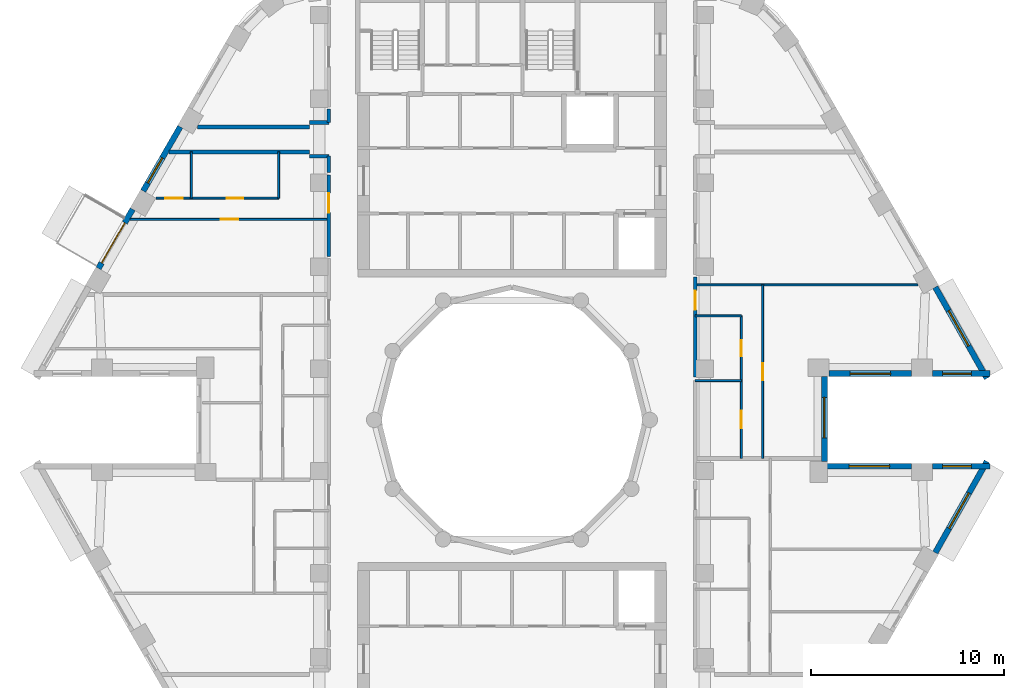
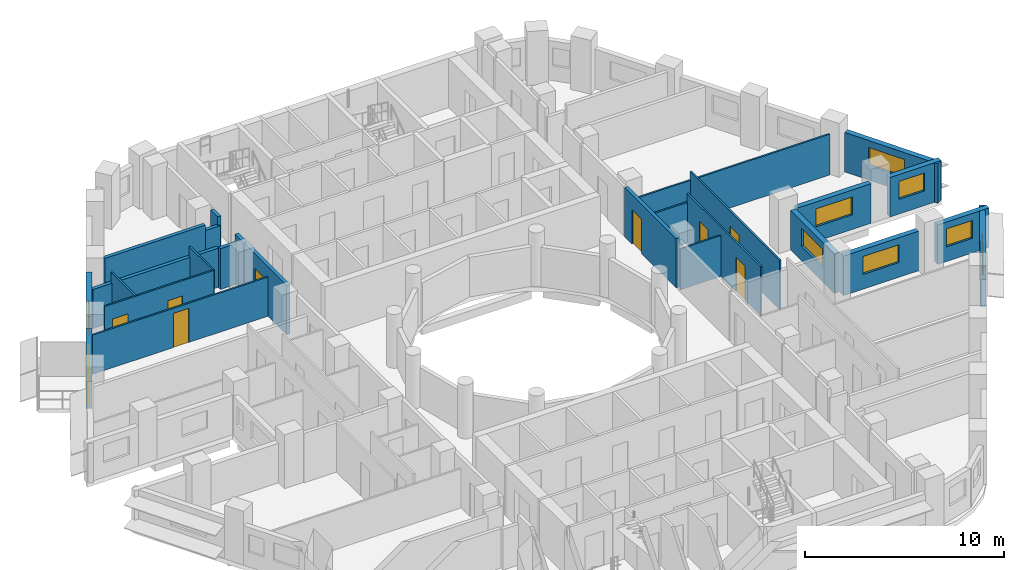
# One storey, part 6 of 13: 26 walls, 9 doors, 8 windows, 17 openings.
"""IFC4 building model written with IfcOpenShell, lengths in metres."""

from ifc_helpers import new_model, si_unit, direction, frame, frame_2d, origin, place, context, subcontext, project, spatial, rectangle, extrude, material, layer, layer_set, type_object, element, fill, save


model = new_model("IFC4")

# Units and contexts
model_context = context("Model", 3, precision=1e-05, world=origin(), true_north=direction((0.0, 1.0)))
body_context = subcontext(model_context, "Body", "Model", "MODEL_VIEW")
ifc_project = project(units=[si_unit("LENGTHUNIT", "METRE"), si_unit("AREAUNIT", "SQUARE_METRE"), si_unit("VOLUMEUNIT", "CUBIC_METRE"), si_unit("PLANEANGLEUNIT", "RADIAN"), si_unit("MASSUNIT", "GRAM", prefix="KILO")], contexts=[model_context])

# Site, building, storey
site_placement = place(None, origin())
site = spatial("IfcSite", under=ifc_project, at=site_placement, CompositionType="ELEMENT")
building_placement = place(site_placement, origin())
building = spatial("IfcBuilding", under=site, at=building_placement, Name="Nakaniwa Court", CompositionType="ELEMENT")
storey_placement = place(building_placement, frame((0.0, 0.0, 246.0)))
storey = spatial("IfcBuildingStorey", under=building, at=storey_placement, Name="L64", CompositionType="ELEMENT", Elevation=246.0)

# Wall, opening, door
ifc_material_1 = material(Name="Acoustic double stud partition")
ifc_layer_1 = layer(ifc_material_1, 0.199951171875)
ifc_layer_set_1 = layer_set([ifc_layer_1], Name="Acoustic double stud partition")
wall_type_1 = type_object("IfcWallType", Name="Acoustic double stud partition 200", PredefinedType="PARTITIONING", material=ifc_layer_set_1)
wall_1_placement = place(storey_placement, frame((89.5, 87.423095703125, 0.0), z_axis=(0.0, 0.0, 1.0), x_axis=(0.0, -1.0, 0.0)))
wall_1 = element("IfcWall", 1, at=wall_1_placement, inside=storey, type_object=wall_type_1, Name="Partition PW-067", PredefinedType="PARTITIONING", context=body_context, shape_type="SweptSolid", body=[
    extrude(rectangle(XDim=5.18603515625, YDim=0.199951171875, at=frame_2d((2.593017578125, 0.0))), origin(), (0.0, 0.0, 1.0), 3.02490234375),
])
opening_1_placement = place(wall_1_placement, frame((0.722900390625, 0.0, 0.0)))
opening_1 = element("IfcOpeningElement", 2, at=opening_1_placement, cuts=wall_1, Name="Opening D-01-02", PredefinedType="OPENING", context=body_context, shape_type="SweptSolid", body=[
    extrude(rectangle(XDim=1.0, YDim=2.10009765625, at=frame_2d((0.5, 1.050048828125))), frame((0.0, 0.10986328125, 0.0), z_axis=(0.0, -1.0, 0.0), x_axis=(1.0, 0.0, 0.0)), (0.0, 0.0, 1.0), 0.219970703125),
])
ifc_material_2 = material(Name="Solid core timber door set, black veneer", Category="wood")
door_type_1 = type_object("IfcDoorType", Name="Flat entrance door 1000", OperationType="NOTDEFINED", PredefinedType="DOOR", material=ifc_material_2)
door_1_placement = place(opening_1_placement, origin())
door_1 = element("IfcDoor", 3, at=door_1_placement, inside=storey, type_object=door_type_1, Name="Door D-01-02 L64-040", OperationType="SINGLE_SWING_LEFT", OverallHeight=2.10009765625, OverallWidth=1.0, PredefinedType="DOOR", context=body_context, shape_type="SweptSolid", body=[
    extrude(rectangle(XDim=1.0, YDim=2.10009765625, at=frame_2d((0.5, 1.050048828125))), frame((0.0, 0.02490234375, 0.0), z_axis=(0.0, -1.0, 0.0), x_axis=(1.0, 0.0, 0.0)), (0.0, 0.0, 1.0), 0.050048828125),
])
fill(opening_1, door_1)

# Walls
wall_2_placement = place(storey_placement, frame((62.217529296875, 93.89990234375, 0.0), z_axis=(0.0, 0.0, 1.0), x_axis=(1.0, 0.0, 0.0)))
element("IfcWall", 4, at=wall_2_placement, inside=storey, type_object=wall_type_1, Name="Partition PW-073", PredefinedType="PARTITIONING", context=body_context, shape_type="SweptSolid", body=[
    extrude(rectangle(XDim=7.282470703125, YDim=0.199951171875, at=frame_2d((3.64111328125, 0.0))), origin(), (0.0, 0.0, 1.0), 2.405029296875),
])
for number, where, z_axis, x_axis, name in (
    (5, (69.5, 93.675048828125, 0.0), (0.0, 0.0, 1.0), (1.0, 0.0, 0.0), "Partition PW-075"),
    (6, (69.5, 95.425048828125, 0.0), (0.0, 0.0, 1.0), (1.0, 0.0, 0.0), "Partition PW-077"),
):
    element("IfcWall", number, at=place(storey_placement, frame(where, z_axis=z_axis, x_axis=x_axis)), inside=storey, type_object=wall_type_1, Name=name, PredefinedType="PARTITIONING", context=body_context, shape_type="SweptSolid", body=[
        extrude(rectangle(XDim=1.0, YDim=0.199951171875, at=frame_2d((0.5, 0.0))), origin(), (0.0, 0.0, 1.0), 2.5048828125),
    ])
wall_3_placement = place(storey_placement, frame((63.68115234375, 95.199951171875, 0.0), z_axis=(0.0, 0.0, 1.0), x_axis=(1.0, 0.0, 0.0)))
element("IfcWall", 7, at=wall_3_placement, inside=storey, type_object=wall_type_1, Name="Partition PW-079", PredefinedType="PARTITIONING", context=body_context, shape_type="SweptSolid", body=[
    extrude(rectangle(XDim=5.81884765625, YDim=0.199951171875, at=frame_2d((2.909423828125, 0.0))), origin(), (0.0, 0.0, 1.0), 3.02490234375),
])

# Wall, opening, door
wall_4_placement = place(storey_placement, frame((70.5, 88.47705078125, 0.0), z_axis=(0.0, 0.0, 1.0), x_axis=(0.0, 1.0, 0.0)))
wall_4 = element("IfcWall", 8, at=wall_4_placement, inside=storey, type_object=wall_type_1, Name="Partition PW-096", PredefinedType="PARTITIONING", context=body_context, shape_type="SweptSolid", body=[
    extrude(rectangle(XDim=4.23583984375, YDim=0.199951171875, at=frame_2d((2.117919921875, 0.0))), origin(), (0.0, 0.0, 1.0), 3.02490234375),
])
opening_2_placement = place(wall_4_placement, frame((2.278076171875, 0.0, 0.0)))
opening_2 = element("IfcOpeningElement", 9, at=opening_2_placement, cuts=wall_4, Name="Opening D-01-05", PredefinedType="OPENING", context=body_context, shape_type="SweptSolid", body=[
    extrude(rectangle(XDim=1.0, YDim=2.10009765625, at=frame_2d((0.5, 1.050048828125))), frame((0.0, 0.10986328125, 0.0), z_axis=(0.0, -1.0, 0.0), x_axis=(1.0, 0.0, 0.0)), (0.0, 0.0, 1.0), 0.219970703125),
])
door_2_placement = place(opening_2_placement, origin())
door_2 = element("IfcDoor", 10, at=door_2_placement, inside=storey, type_object=door_type_1, Name="Door D-01-05 L64-055", OperationType="SINGLE_SWING_RIGHT", OverallHeight=2.10009765625, OverallWidth=1.0, PredefinedType="DOOR", context=body_context, shape_type="SweptSolid", body=[
    extrude(rectangle(XDim=1.0, YDim=2.10009765625, at=frame_2d((0.5, 1.050048828125))), frame((0.0, 0.02490234375, 0.0), z_axis=(0.0, -1.0, 0.0), x_axis=(1.0, 0.0, 0.0)), (0.0, 0.0, 1.0), 0.050048828125),
])
fill(opening_2, door_2)

# Walls
wall_5_placement = place(storey_placement, frame((70.5, 92.826904296875, 0.0), z_axis=(0.0, 0.0, 1.0), x_axis=(0.0, 1.0, 0.0)))
element("IfcWall", 11, at=wall_5_placement, inside=storey, type_object=wall_type_1, Name="Partition PW-097", PredefinedType="PARTITIONING", context=body_context, shape_type="SweptSolid", body=[
    extrude(rectangle(XDim=0.85107421875, YDim=0.199951171875, at=frame_2d((0.425537109375, 0.0))), origin(), (0.0, 0.0, 1.0), 3.02490234375),
])
wall_6_placement = place(storey_placement, frame((70.5, 95.422119140625, 0.0), z_axis=(0.0, 0.0, 1.0), x_axis=(0.0, 1.0, 0.0)))
element("IfcWall", 12, at=wall_6_placement, inside=storey, type_object=wall_type_1, Name="Partition PW-098", PredefinedType="PARTITIONING", context=body_context, shape_type="SweptSolid", body=[
    extrude(rectangle(XDim=0.700927734375, YDim=0.199951171875, at=frame_2d((0.3505859375, 0.0))), origin(), (0.0, 0.0, 1.0), 3.02490234375),
])

# Wall, opening, window
ifc_material_3 = material(Name="Charcoal ceramic cladding")
ifc_layer_2 = layer(ifc_material_3, 0.02, Name="Ceramic cladding")
ifc_material_4 = material(Name="Ventilated air cavity")
ifc_layer_3 = layer(ifc_material_4, 0.04, ventilated=True, Name="Ventilated cavity")
ifc_material_5 = material(Name="Mineral wool insulation")
ifc_layer_4 = layer(ifc_material_5, 0.1, Name="Insulation")
ifc_material_6 = material(Name="Cement bonded sheathing board")
ifc_layer_5 = layer(ifc_material_6, 0.012, Name="Sheathing")
ifc_material_7 = material(Name="Cold-formed galvanised stud frame with mineral wool infill")
ifc_layer_6 = layer(ifc_material_7, 0.1, Name="Stud frame")
ifc_material_8 = material(Name="Fire-rated gypsum plasterboard lining")
ifc_layer_7 = layer(ifc_material_8, 0.028, Name="Lining")
ifc_layer_set_2 = layer_set([ifc_layer_2, ifc_layer_3, ifc_layer_4, ifc_layer_5, ifc_layer_6, ifc_layer_7], Name="Charcoal ceramic faced external wall system")
wall_type_2 = type_object("IfcWallType", Name="Black ceramic faced external wall 300", PredefinedType="SOLIDWALL", material=ifc_layer_set_2)
wall_7_placement = place(storey_placement, frame((96.445556640625, 82.39990234375, 0.0), z_axis=(0.0, 0.0, 1.0), x_axis=(1.0, 0.0, 0.0)))
wall_7 = element("IfcWall", 13, at=wall_7_placement, inside=storey, type_object=wall_type_2, Name="L64 external wall 00", PredefinedType="SOLIDWALL", context=body_context, shape_type="SweptSolid", body=[
    extrude(rectangle(XDim=4.2724609375, YDim=0.300048828125, at=frame_2d((2.13623046875, 0.0))), origin(), (0.0, 0.0, 1.0), 2.425048828125),
])
opening_3_placement = place(wall_7_placement, frame((1.086181640625, 0.0, 0.89990234375)))
opening_3 = element("IfcOpeningElement", 14, at=opening_3_placement, cuts=wall_7, Name="Opening W7.01", PredefinedType="OPENING", context=body_context, shape_type="SweptSolid", body=[
    extrude(rectangle(XDim=2.10009765625, YDim=1.10009765625, at=frame_2d((1.050048828125, 0.550048828125))), frame((0.0, 0.159912109375, 0.0), z_axis=(0.0, -1.0, 0.0), x_axis=(1.0, 0.0, 0.0)), (0.0, 0.0, 1.0), 0.320068359375),
])
ifc_material_9 = material(Name="Black anodised aluminium frame with dark low-E laminated double glazing", Category="aluminium")
window_type_1 = type_object("IfcWindowType", Name="Dark glass window 2100x1100 sill 900", PartitioningType="SINGLE_PANEL", PredefinedType="WINDOW", material=ifc_material_9)
window_1_placement = place(opening_3_placement, origin())
window_1 = element("IfcWindow", 15, at=window_1_placement, inside=storey, type_object=window_type_1, Name="L64 living window 00-0", OverallHeight=1.10009765625, OverallWidth=2.10009765625, PartitioningType="SINGLE_PANEL", PredefinedType="WINDOW", context=body_context, shape_type="SweptSolid", body=[
    extrude(rectangle(XDim=2.10009765625, YDim=1.10009765625, at=frame_2d((1.050048828125, 0.550048828125))), frame((0.0, 0.030029296875, 0.0), z_axis=(0.0, -1.0, 0.0), x_axis=(1.0, 0.0, 0.0)), (0.0, 0.0, 1.0), 0.06005859375),
])
fill(opening_3, window_1)

wall_8_placement = place(storey_placement, frame((101.81005859375, 82.39990234375, 0.0), z_axis=(0.0, 0.0, 1.0), x_axis=(1.0, 0.0, 0.0)))
wall_8 = element("IfcWall", 16, at=wall_8_placement, inside=storey, type_object=wall_type_2, Name="L64 external wall 01", PredefinedType="SOLIDWALL", context=body_context, shape_type="SweptSolid", body=[
    extrude(rectangle(XDim=2.98779296875, YDim=0.300048828125, at=frame_2d((1.493896484375, 0.0))), origin(), (0.0, 0.0, 1.0), 2.425048828125),
])
opening_4_placement = place(wall_8_placement, frame((0.51904296875, 0.0, 0.89990234375)))
opening_4 = element("IfcOpeningElement", 17, at=opening_4_placement, cuts=wall_8, Name="Opening W5.02", PredefinedType="OPENING", context=body_context, shape_type="SweptSolid", body=[
    extrude(rectangle(XDim=1.5, YDim=1.10009765625, at=frame_2d((0.75, 0.550048828125))), frame((0.0, 0.159912109375, 0.0), z_axis=(0.0, -1.0, 0.0), x_axis=(1.0, 0.0, 0.0)), (0.0, 0.0, 1.0), 0.320068359375),
])
window_type_2 = type_object("IfcWindowType", Name="Dark glass window 1500x1100 sill 900", PartitioningType="SINGLE_PANEL", PredefinedType="WINDOW", material=ifc_material_9)
window_2_placement = place(opening_4_placement, origin())
window_2 = element("IfcWindow", 18, at=window_2_placement, inside=storey, type_object=window_type_2, Name="L64 living window 01-0", OverallHeight=1.10009765625, OverallWidth=1.5, PartitioningType="SINGLE_PANEL", PredefinedType="WINDOW", context=body_context, shape_type="SweptSolid", body=[
    extrude(rectangle(XDim=1.5, YDim=1.10009765625, at=frame_2d((0.75, 0.550048828125))), frame((0.0, 0.030029296875, 0.0), z_axis=(0.0, -1.0, 0.0), x_axis=(1.0, 0.0, 0.0)), (0.0, 0.0, 1.0), 0.06005859375),
])
fill(opening_4, window_2)

wall_9_placement = place(storey_placement, frame((104.627197265625, 82.153564453125, 0.0), z_axis=(0.0, 0.0, 1.0), x_axis=(-0.492080931903, 0.870549456641, 0.0)))
wall_9 = element("IfcWall", 19, at=wall_9_placement, inside=storey, type_object=wall_type_2, Name="L64 external wall 02", PredefinedType="SOLIDWALL", context=body_context, shape_type="SweptSolid", body=[
    extrude(rectangle(XDim=5.436767578125, YDim=0.300048828125, at=frame_2d((2.71826171875, 0.0))), origin(), (0.0, 0.0, 1.0), 2.425048828125),
])
opening_5_placement = place(wall_9_placement, frame((1.931396484375, 0.0, 0.89990234375)))
opening_5 = element("IfcOpeningElement", 20, at=opening_5_placement, cuts=wall_9, Name="Opening W7.03", PredefinedType="OPENING", context=body_context, shape_type="SweptSolid", body=[
    extrude(rectangle(XDim=2.10009765625, YDim=1.10009765625, at=frame_2d((1.050048828125, 0.550048828125))), frame((0.0, 0.159912109375, 0.0), z_axis=(0.0, -1.0, 0.0), x_axis=(1.0, 0.0, 0.0)), (0.0, 0.0, 1.0), 0.320068359375),
])
window_3_placement = place(opening_5_placement, origin())
window_3 = element("IfcWindow", 21, at=window_3_placement, inside=storey, type_object=window_type_1, Name="L64 living window 02-0", OverallHeight=1.10009765625, OverallWidth=2.10009765625, PartitioningType="SINGLE_PANEL", PredefinedType="WINDOW", context=body_context, shape_type="SweptSolid", body=[
    extrude(rectangle(XDim=2.10009765625, YDim=1.10009765625, at=frame_2d((1.050048828125, 0.550048828125))), frame((0.0, 0.030029296875, 0.0), z_axis=(0.0, -1.0, 0.0), x_axis=(1.0, 0.0, 0.0)), (0.0, 0.0, 1.0), 0.06005859375),
])
fill(opening_5, window_3)

wall_10_placement = place(storey_placement, frame((62.7958984375, 95.201904296875, 0.0), z_axis=(0.0, 0.0, 1.0), x_axis=(-0.499984490703, -0.866034357896, 0.0)))
wall_10 = element("IfcWall", 22, at=wall_10_placement, inside=storey, type_object=wall_type_2, Name="L64 external wall 12", PredefinedType="SOLIDWALL", context=body_context, shape_type="SweptSolid", body=[
    extrude(rectangle(XDim=3.84423828125, YDim=0.300048828125, at=frame_2d((1.922119140625, 0.0))), origin(), (0.0, 0.0, 1.0), 2.425048828125),
])
opening_6_placement = place(wall_10_placement, frame((1.86279296875, 0.0, 0.89990234375)))
opening_6 = element("IfcOpeningElement", 23, at=opening_6_placement, cuts=wall_10, Name="Opening W5.12", PredefinedType="OPENING", context=body_context, shape_type="SweptSolid", body=[
    extrude(rectangle(XDim=1.5, YDim=1.10009765625, at=frame_2d((0.75, 0.550048828125))), frame((0.0, 0.159912109375, 0.0), z_axis=(0.0, -1.0, 0.0), x_axis=(1.0, 0.0, 0.0)), (0.0, 0.0, 1.0), 0.320068359375),
])
window_4_placement = place(opening_6_placement, origin())
window_4 = element("IfcWindow", 24, at=window_4_placement, inside=storey, type_object=window_type_2, Name="L64 habitable room window 12-1", OverallHeight=1.10009765625, OverallWidth=1.5, PartitioningType="SINGLE_PANEL", PredefinedType="WINDOW", context=body_context, shape_type="SweptSolid", body=[
    extrude(rectangle(XDim=1.5, YDim=1.10009765625, at=frame_2d((0.75, 0.550048828125))), frame((0.0, 0.030029296875, 0.0), z_axis=(0.0, -1.0, 0.0), x_axis=(1.0, 0.0, 0.0)), (0.0, 0.0, 1.0), 0.06005859375),
])
fill(opening_6, window_4)

# Wall, opening, door
wall_11_placement = place(storey_placement, frame((60.327880859375, 90.927001953125, 0.0), z_axis=(0.0, 0.0, 1.0), x_axis=(-0.500010404316, -0.866019396766, 0.0)))
wall_11 = element("IfcWall", 25, at=wall_11_placement, inside=storey, type_object=wall_type_2, Name="L64 external wall 13", PredefinedType="SOLIDWALL", context=body_context, shape_type="SweptSolid", body=[
    extrude(rectangle(XDim=3.54736328125, YDim=0.300048828125, at=frame_2d((1.773681640625, 0.0))), origin(), (0.0, 0.0, 1.0), 2.425048828125),
])
opening_7_placement = place(wall_11_placement, frame((0.816650390625, 0.0, 0.0)))
opening_7 = element("IfcOpeningElement", 26, at=opening_7_placement, cuts=wall_11, Name="Opening XD13.01", PredefinedType="OPENING", context=body_context, shape_type="SweptSolid", body=[
    extrude(rectangle(XDim=2.39990234375, YDim=2.0, at=frame_2d((1.199951171875, 1.0))), frame((0.0, 0.159912109375, 0.0), z_axis=(0.0, -1.0, 0.0), x_axis=(1.0, 0.0, 0.0)), (0.0, 0.0, 1.0), 0.320068359375),
])
ifc_material_10 = material(Name="Black powder-coated aluminium frame with dark laminated glass", Category="aluminium")
door_type_2 = type_object("IfcDoorType", Name="Balcony sliding door 2400x2000", OperationType="DOUBLE_DOOR_SLIDING", PredefinedType="DOOR", material=ifc_material_10)
door_3_placement = place(opening_7_placement, origin())
door_3 = element("IfcDoor", 27, at=door_3_placement, inside=storey, type_object=door_type_2, Name="L64 balcony sliding door 01", OperationType="DOUBLE_DOOR_SLIDING", OverallHeight=2.0, OverallWidth=2.39990234375, PredefinedType="DOOR", context=body_context, shape_type="SweptSolid", body=[
    extrude(rectangle(XDim=2.39990234375, YDim=2.0, at=frame_2d((1.199951171875, 1.0))), frame((0.0, 0.02490234375, 0.0), z_axis=(0.0, -1.0, 0.0), x_axis=(1.0, 0.0, 0.0)), (0.0, 0.0, 1.0), 0.050048828125),
])
fill(opening_7, door_3)

# Wall, opening, window
wall_12_placement = place(storey_placement, frame((101.951904296875, 73.113525390625, 0.0), z_axis=(0.0, 0.0, 1.0), x_axis=(0.492080931903, 0.870549456641, 0.0)))
wall_12 = element("IfcWall", 28, at=wall_12_placement, inside=storey, type_object=wall_type_2, Name="L64 external wall 32", PredefinedType="SOLIDWALL", context=body_context, shape_type="SweptSolid", body=[
    extrude(rectangle(XDim=5.436767578125, YDim=0.300048828125, at=frame_2d((2.71826171875, 0.0))), origin(), (0.0, 0.0, 1.0), 2.425048828125),
])
opening_8_placement = place(wall_12_placement, frame((1.453369140625, 0.0, 0.89990234375)))
opening_8 = element("IfcOpeningElement", 29, at=opening_8_placement, cuts=wall_12, Name="Opening W7.32", PredefinedType="OPENING", context=body_context, shape_type="SweptSolid", body=[
    extrude(rectangle(XDim=2.10009765625, YDim=1.10009765625, at=frame_2d((1.050048828125, 0.550048828125))), frame((0.0, 0.159912109375, 0.0), z_axis=(0.0, -1.0, 0.0), x_axis=(1.0, 0.0, 0.0)), (0.0, 0.0, 1.0), 0.320068359375),
])
window_5_placement = place(opening_8_placement, origin())
window_5 = element("IfcWindow", 30, at=window_5_placement, inside=storey, type_object=window_type_1, Name="L64 living window 32-0", OverallHeight=1.10009765625, OverallWidth=2.10009765625, PartitioningType="SINGLE_PANEL", PredefinedType="WINDOW", context=body_context, shape_type="SweptSolid", body=[
    extrude(rectangle(XDim=2.10009765625, YDim=1.10009765625, at=frame_2d((1.050048828125, 0.550048828125))), frame((0.0, 0.030029296875, 0.0), z_axis=(0.0, -1.0, 0.0), x_axis=(1.0, 0.0, 0.0)), (0.0, 0.0, 1.0), 0.06005859375),
])
fill(opening_8, window_5)

wall_13_placement = place(storey_placement, frame((104.7978515625, 77.60009765625, 0.0), z_axis=(0.0, 0.0, 1.0), x_axis=(-1.0, 0.0, 0.0)))
wall_13 = element("IfcWall", 31, at=wall_13_placement, inside=storey, type_object=wall_type_2, Name="L64 external wall 33", PredefinedType="SOLIDWALL", context=body_context, shape_type="SweptSolid", body=[
    extrude(rectangle(XDim=2.98779296875, YDim=0.300048828125, at=frame_2d((1.493896484375, 0.0))), origin(), (0.0, 0.0, 1.0), 2.425048828125),
])
opening_9_placement = place(wall_13_placement, frame((0.968994140625, 0.0, 0.89990234375)))
opening_9 = element("IfcOpeningElement", 32, at=opening_9_placement, cuts=wall_13, Name="Opening W5.33", PredefinedType="OPENING", context=body_context, shape_type="SweptSolid", body=[
    extrude(rectangle(XDim=1.5, YDim=1.10009765625, at=frame_2d((0.75, 0.550048828125))), frame((0.0, 0.159912109375, 0.0), z_axis=(0.0, -1.0, 0.0), x_axis=(1.0, 0.0, 0.0)), (0.0, 0.0, 1.0), 0.320068359375),
])
window_6_placement = place(opening_9_placement, origin())
window_6 = element("IfcWindow", 33, at=window_6_placement, inside=storey, type_object=window_type_2, Name="L64 living window 33-0", OverallHeight=1.10009765625, OverallWidth=1.5, PartitioningType="SINGLE_PANEL", PredefinedType="WINDOW", context=body_context, shape_type="SweptSolid", body=[
    extrude(rectangle(XDim=1.5, YDim=1.10009765625, at=frame_2d((0.75, 0.550048828125))), frame((0.0, 0.030029296875, 0.0), z_axis=(0.0, -1.0, 0.0), x_axis=(1.0, 0.0, 0.0)), (0.0, 0.0, 1.0), 0.06005859375),
])
fill(opening_9, window_6)

wall_14_placement = place(storey_placement, frame((100.718017578125, 77.60009765625, 0.0), z_axis=(0.0, 0.0, 1.0), x_axis=(-1.0, 0.0, 0.0)))
wall_14 = element("IfcWall", 34, at=wall_14_placement, inside=storey, type_object=wall_type_2, Name="L64 external wall 34", PredefinedType="SOLIDWALL", context=body_context, shape_type="SweptSolid", body=[
    extrude(rectangle(XDim=4.37255859375, YDim=0.300048828125, at=frame_2d((2.186279296875, 0.0))), origin(), (0.0, 0.0, 1.0), 2.425048828125),
])
opening_10_placement = place(wall_14_placement, frame((1.13623046875, 0.0, 0.89990234375)))
opening_10 = element("IfcOpeningElement", 35, at=opening_10_placement, cuts=wall_14, Name="Opening W7.34", PredefinedType="OPENING", context=body_context, shape_type="SweptSolid", body=[
    extrude(rectangle(XDim=2.10009765625, YDim=1.10009765625, at=frame_2d((1.050048828125, 0.550048828125))), frame((0.0, 0.159912109375, 0.0), z_axis=(0.0, -1.0, 0.0), x_axis=(1.0, 0.0, 0.0)), (0.0, 0.0, 1.0), 0.320068359375),
])
window_7_placement = place(opening_10_placement, origin())
window_7 = element("IfcWindow", 36, at=window_7_placement, inside=storey, type_object=window_type_1, Name="L64 living window 34-0", OverallHeight=1.10009765625, OverallWidth=2.10009765625, PartitioningType="SINGLE_PANEL", PredefinedType="WINDOW", context=body_context, shape_type="SweptSolid", body=[
    extrude(rectangle(XDim=2.10009765625, YDim=1.10009765625, at=frame_2d((1.050048828125, 0.550048828125))), frame((0.0, 0.030029296875, 0.0), z_axis=(0.0, -1.0, 0.0), x_axis=(1.0, 0.0, 0.0)), (0.0, 0.0, 1.0), 0.06005859375),
])
fill(opening_10, window_7)

wall_15_placement = place(storey_placement, frame((96.199462890625, 77.845947265625, 0.0), z_axis=(0.0, 0.0, 1.0), x_axis=(0.0, 1.0, 0.0)))
wall_15 = element("IfcWall", 37, at=wall_15_placement, inside=storey, type_object=wall_type_2, Name="L64 external wall 35", PredefinedType="SOLIDWALL", context=body_context, shape_type="SweptSolid", body=[
    extrude(rectangle(XDim=4.407958984375, YDim=0.300048828125, at=frame_2d((2.2041015625, 0.0))), origin(), (0.0, 0.0, 1.0), 2.425048828125),
])
opening_11_placement = place(wall_15_placement, frame((1.218994140625, 0.0, 0.89990234375)))
opening_11 = element("IfcOpeningElement", 38, at=opening_11_placement, cuts=wall_15, Name="Opening W7.35", PredefinedType="OPENING", context=body_context, shape_type="SweptSolid", body=[
    extrude(rectangle(XDim=2.10009765625, YDim=1.10009765625, at=frame_2d((1.050048828125, 0.550048828125))), frame((0.0, 0.159912109375, 0.0), z_axis=(0.0, -1.0, 0.0), x_axis=(1.0, 0.0, 0.0)), (0.0, 0.0, 1.0), 0.320068359375),
])
window_8_placement = place(opening_11_placement, origin())
window_8 = element("IfcWindow", 39, at=window_8_placement, inside=storey, type_object=window_type_1, Name="L64 living window 35-1", OverallHeight=1.10009765625, OverallWidth=2.10009765625, PartitioningType="SINGLE_PANEL", PredefinedType="WINDOW", context=body_context, shape_type="SweptSolid", body=[
    extrude(rectangle(XDim=2.10009765625, YDim=1.10009765625, at=frame_2d((1.050048828125, 0.550048828125))), frame((0.0, 0.030029296875, 0.0), z_axis=(0.0, -1.0, 0.0), x_axis=(1.0, 0.0, 0.0)), (0.0, 0.0, 1.0), 0.06005859375),
])
fill(opening_11, window_8)

# Wall
ifc_material_11 = material(Name="Single stud plasterboard partition")
ifc_layer_8 = layer(ifc_material_11, 0.10009765625)
ifc_layer_set_3 = layer_set([ifc_layer_8], Name="Single stud plasterboard partition")
wall_type_3 = type_object("IfcWallType", Name="Single stud plasterboard partition 100", PredefinedType="PARTITIONING", material=ifc_layer_set_3)
wall_16_placement = place(storey_placement, frame((89.5, 82.035888671875, 0.0), z_axis=(0.0, 0.0, 1.0), x_axis=(1.0, 0.0, 0.0)))
element("IfcWall", 40, at=wall_16_placement, inside=storey, type_object=wall_type_3, Name="Partition PW-108", PredefinedType="PARTITIONING", context=body_context, shape_type="SweptSolid", body=[
    extrude(rectangle(XDim=2.39990234375, YDim=0.10009765625, at=frame_2d((1.199951171875, 0.0))), origin(), (0.0, 0.0, 1.0), 2.5048828125),
])

# Wall, openings, doors
wall_17_placement = place(storey_placement, frame((91.89990234375, 78.0, 0.0), z_axis=(0.0, 0.0, 1.0), x_axis=(0.0, 1.0, 0.0)))
wall_17 = element("IfcWall", 41, at=wall_17_placement, inside=storey, type_object=wall_type_3, Name="Partition PW-109", PredefinedType="PARTITIONING", context=body_context, shape_type="SweptSolid", body=[
    extrude(rectangle(XDim=7.39990234375, YDim=0.10009765625, at=frame_2d((3.699951171875, 0.0))), origin(), (0.0, 0.0, 1.0), 3.02490234375),
])
opening_12_placement = place(wall_17_placement, frame((1.568115234375, 0.0, 0.0)))
opening_12 = element("IfcOpeningElement", 42, at=opening_12_placement, cuts=wall_17, Name="Opening D-33-05", PredefinedType="OPENING", context=body_context, shape_type="SweptSolid", body=[
    extrude(rectangle(XDim=0.89990234375, YDim=2.10009765625, at=frame_2d((0.449951171875, 1.050048828125))), frame((0.0, 0.06005859375, 0.0), z_axis=(0.0, -1.0, 0.0), x_axis=(1.0, 0.0, 0.0)), (0.0, 0.0, 1.0), 0.1201171875),
])
opening_13_placement = place(wall_17_placement, frame((5.29296875, 0.0, 0.0)))
opening_13 = element("IfcOpeningElement", 43, at=opening_13_placement, cuts=wall_17, Name="Opening D-03-02", PredefinedType="OPENING", context=body_context, shape_type="SweptSolid", body=[
    extrude(rectangle(XDim=0.85009765625, YDim=2.10009765625, at=frame_2d((0.425048828125, 1.050048828125))), frame((0.0, 0.06005859375, 0.0), z_axis=(0.0, -1.0, 0.0), x_axis=(1.0, 0.0, 0.0)), (0.0, 0.0, 1.0), 0.1201171875),
])
ifc_material_12 = material(Name="Moisture sealed timber door set", Category="wood")
door_type_3 = type_object("IfcDoorType", Name="Bathroom door 850", OperationType="NOTDEFINED", PredefinedType="DOOR", material=ifc_material_12)
door_4_placement = place(opening_13_placement, origin())
door_4 = element("IfcDoor", 44, at=door_4_placement, inside=storey, type_object=door_type_3, Name="Door D-03-02 L64-042", OperationType="SINGLE_SWING_LEFT", OverallHeight=2.10009765625, OverallWidth=0.85009765625, PredefinedType="DOOR", context=body_context, shape_type="SweptSolid", body=[
    extrude(rectangle(XDim=0.85009765625, YDim=2.10009765625, at=frame_2d((0.425048828125, 1.050048828125))), frame((0.0, 0.02490234375, 0.0), z_axis=(0.0, -1.0, 0.0), x_axis=(1.0, 0.0, 0.0)), (0.0, 0.0, 1.0), 0.050048828125),
])
fill(opening_13, door_4)
door_type_4 = type_object("IfcDoorType", Name="Internal door 900", OperationType="NOTDEFINED", PredefinedType="DOOR", material=ifc_material_2)
door_5_placement = place(opening_12_placement, origin())
door_5 = element("IfcDoor", 45, at=door_5_placement, inside=storey, type_object=door_type_4, Name="Door D-33-05 L64-041", OperationType="SINGLE_SWING_RIGHT", OverallHeight=2.10009765625, OverallWidth=0.89990234375, PredefinedType="DOOR", context=body_context, shape_type="SweptSolid", body=[
    extrude(rectangle(XDim=0.89990234375, YDim=2.10009765625, at=frame_2d((0.449951171875, 1.050048828125))), frame((0.0, 0.02490234375, 0.0), z_axis=(0.0, -1.0, 0.0), x_axis=(1.0, 0.0, 0.0)), (0.0, 0.0, 1.0), 0.050048828125),
])
fill(opening_12, door_5)

# Wall
wall_18_placement = place(storey_placement, frame((89.5, 85.39990234375, 0.0), z_axis=(0.0, 0.0, 1.0), x_axis=(1.0, 0.0, 0.0)))
element("IfcWall", 46, at=wall_18_placement, inside=storey, type_object=wall_type_3, Name="Partition PW-110", PredefinedType="PARTITIONING", context=body_context, shape_type="SweptSolid", body=[
    extrude(rectangle(XDim=2.39990234375, YDim=0.10009765625, at=frame_2d((1.199951171875, 0.0))), origin(), (0.0, 0.0, 1.0), 2.5048828125),
])

# Wall, opening, door
wall_19_placement = place(storey_placement, frame((93.0, 87.0, 0.0), z_axis=(0.0, 0.0, 1.0), x_axis=(0.0, -1.0, 0.0)))
wall_19 = element("IfcWall", 47, at=wall_19_placement, inside=storey, type_object=wall_type_3, Name="Partition PW-111", PredefinedType="PARTITIONING", context=body_context, shape_type="SweptSolid", body=[
    extrude(rectangle(XDim=9.0, YDim=0.10009765625, at=frame_2d((4.5, 0.0))), origin(), (0.0, 0.0, 1.0), 3.02490234375),
])
opening_14_placement = place(wall_19_placement, frame((4.050048828125, 0.0, 0.0)))
opening_14 = element("IfcOpeningElement", 48, at=opening_14_placement, cuts=wall_19, Name="Opening D-33-06", PredefinedType="OPENING", context=body_context, shape_type="SweptSolid", body=[
    extrude(rectangle(XDim=0.89990234375, YDim=2.10009765625, at=frame_2d((0.449951171875, 1.050048828125))), frame((0.0, 0.06005859375, 0.0), z_axis=(0.0, -1.0, 0.0), x_axis=(1.0, 0.0, 0.0)), (0.0, 0.0, 1.0), 0.1201171875),
])
door_6_placement = place(opening_14_placement, origin())
door_6 = element("IfcDoor", 49, at=door_6_placement, inside=storey, type_object=door_type_4, Name="Door D-33-06 L64-043", OperationType="SINGLE_SWING_RIGHT", OverallHeight=2.10009765625, OverallWidth=0.89990234375, PredefinedType="DOOR", context=body_context, shape_type="SweptSolid", body=[
    extrude(rectangle(XDim=0.89990234375, YDim=2.10009765625, at=frame_2d((0.449951171875, 1.050048828125))), frame((0.0, 0.02490234375, 0.0), z_axis=(0.0, -1.0, 0.0), x_axis=(1.0, 0.0, 0.0)), (0.0, 0.0, 1.0), 0.050048828125),
])
fill(opening_14, door_6)

# Walls
wall_20_placement = place(storey_placement, frame((89.5, 87.0, 0.0), z_axis=(0.0, 0.0, 1.0), x_axis=(1.0, 0.0, 0.0)))
element("IfcWall", 50, at=wall_20_placement, inside=storey, type_object=wall_type_3, Name="Partition PW-112", PredefinedType="PARTITIONING", context=body_context, shape_type="SweptSolid", body=[
    extrude(rectangle(XDim=11.55029296875, YDim=0.10009765625, at=frame_2d((5.775146484375, 0.0))), origin(), (0.0, 0.0, 1.0), 2.5048828125),
])
wall_21_placement = place(storey_placement, frame((63.375, 91.5, 0.0), z_axis=(0.0, 0.0, 1.0), x_axis=(0.0, 1.0, 0.0)))
element("IfcWall", 51, at=wall_21_placement, inside=storey, type_object=wall_type_3, Name="Partition PW-126", PredefinedType="PARTITIONING", context=body_context, shape_type="SweptSolid", body=[
    extrude(rectangle(XDim=2.39990234375, YDim=0.10009765625, at=frame_2d((1.199951171875, 0.0))), origin(), (0.0, 0.0, 1.0), 3.02490234375),
])

# Wall, openings, doors
wall_22_placement = place(storey_placement, frame((61.5478515625, 91.5, 0.0), z_axis=(0.0, 0.0, 1.0), x_axis=(1.0, 0.0, 0.0)))
wall_22 = element("IfcWall", 52, at=wall_22_placement, inside=storey, type_object=wall_type_3, Name="Partition PW-127", PredefinedType="PARTITIONING", context=body_context, shape_type="SweptSolid", body=[
    extrude(rectangle(XDim=6.35205078125, YDim=0.10009765625, at=frame_2d((3.176025390625, 0.0))), origin(), (0.0, 0.0, 1.0), 3.02490234375),
])
opening_15_placement = place(wall_22_placement, frame((0.464111328125, 0.0, 0.0)))
opening_15 = element("IfcOpeningElement", 53, at=opening_15_placement, cuts=wall_22, Name="Opening D-33-13", PredefinedType="OPENING", context=body_context, shape_type="SweptSolid", body=[
    extrude(rectangle(XDim=0.89990234375, YDim=2.10009765625, at=frame_2d((0.449951171875, 1.050048828125))), frame((0.0, 0.06005859375, 0.0), z_axis=(0.0, -1.0, 0.0), x_axis=(1.0, 0.0, 0.0)), (0.0, 0.0, 1.0), 0.1201171875),
])
opening_16_placement = place(wall_22_placement, frame((3.6650390625, 0.0, 0.0)))
opening_16 = element("IfcOpeningElement", 54, at=opening_16_placement, cuts=wall_22, Name="Opening D-03-05", PredefinedType="OPENING", context=body_context, shape_type="SweptSolid", body=[
    extrude(rectangle(XDim=0.85009765625, YDim=2.10009765625, at=frame_2d((0.425048828125, 1.050048828125))), frame((0.0, 0.06005859375, 0.0), z_axis=(0.0, -1.0, 0.0), x_axis=(1.0, 0.0, 0.0)), (0.0, 0.0, 1.0), 0.1201171875),
])
door_7_placement = place(opening_16_placement, origin())
door_7 = element("IfcDoor", 55, at=door_7_placement, inside=storey, type_object=door_type_3, Name="Door D-03-05 L64-057", OperationType="SINGLE_SWING_RIGHT", OverallHeight=2.10009765625, OverallWidth=0.85009765625, PredefinedType="DOOR", context=body_context, shape_type="SweptSolid", body=[
    extrude(rectangle(XDim=0.85009765625, YDim=2.10009765625, at=frame_2d((0.425048828125, 1.050048828125))), frame((0.0, 0.02490234375, 0.0), z_axis=(0.0, -1.0, 0.0), x_axis=(1.0, 0.0, 0.0)), (0.0, 0.0, 1.0), 0.050048828125),
])
fill(opening_16, door_7)
door_8_placement = place(opening_15_placement, origin())
door_8 = element("IfcDoor", 56, at=door_8_placement, inside=storey, type_object=door_type_4, Name="Door D-33-13 L64-056", OperationType="SINGLE_SWING_LEFT", OverallHeight=2.10009765625, OverallWidth=0.89990234375, PredefinedType="DOOR", context=body_context, shape_type="SweptSolid", body=[
    extrude(rectangle(XDim=0.89990234375, YDim=2.10009765625, at=frame_2d((0.449951171875, 1.050048828125))), frame((0.0, 0.02490234375, 0.0), z_axis=(0.0, -1.0, 0.0), x_axis=(1.0, 0.0, 0.0)), (0.0, 0.0, 1.0), 0.050048828125),
])
fill(opening_15, door_8)

# Wall
wall_23_placement = place(storey_placement, frame((67.89990234375, 91.5, 0.0), z_axis=(0.0, 0.0, 1.0), x_axis=(0.0, 1.0, 0.0)))
element("IfcWall", 57, at=wall_23_placement, inside=storey, type_object=wall_type_3, Name="Partition PW-128", PredefinedType="PARTITIONING", context=body_context, shape_type="SweptSolid", body=[
    extrude(rectangle(XDim=2.39990234375, YDim=0.10009765625, at=frame_2d((1.199951171875, 0.0))), origin(), (0.0, 0.0, 1.0), 3.02490234375),
])

# Wall, opening, door
wall_24_placement = place(storey_placement, frame((70.5, 90.39990234375, 0.0), z_axis=(0.0, 0.0, 1.0), x_axis=(-1.0, 0.0, 0.0)))
wall_24 = element("IfcWall", 58, at=wall_24_placement, inside=storey, type_object=wall_type_3, Name="Partition PW-129", PredefinedType="PARTITIONING", context=body_context, shape_type="SweptSolid", body=[
    extrude(rectangle(XDim=10.302978515625, YDim=0.10009765625, at=frame_2d((5.1513671875, 0.0))), origin(), (0.0, 0.0, 1.0), 2.405029296875),
])
opening_17_placement = place(wall_24_placement, frame((4.700927734375, 0.0, 0.0)))
opening_17 = element("IfcOpeningElement", 59, at=opening_17_placement, cuts=wall_24, Name="Opening D-33-14", PredefinedType="OPENING", context=body_context, shape_type="SweptSolid", body=[
    extrude(rectangle(XDim=0.89990234375, YDim=2.10009765625, at=frame_2d((0.449951171875, 1.050048828125))), frame((0.0, 0.06005859375, 0.0), z_axis=(0.0, -1.0, 0.0), x_axis=(1.0, 0.0, 0.0)), (0.0, 0.0, 1.0), 0.1201171875),
])
door_9_placement = place(opening_17_placement, origin())
door_9 = element("IfcDoor", 60, at=door_9_placement, inside=storey, type_object=door_type_4, Name="Door D-33-14 L64-058", OperationType="SINGLE_SWING_LEFT", OverallHeight=2.10009765625, OverallWidth=0.89990234375, PredefinedType="DOOR", context=body_context, shape_type="SweptSolid", body=[
    extrude(rectangle(XDim=0.89990234375, YDim=2.10009765625, at=frame_2d((0.449951171875, 1.050048828125))), frame((0.0, 0.02490234375, 0.0), z_axis=(0.0, -1.0, 0.0), x_axis=(1.0, 0.0, 0.0)), (0.0, 0.0, 1.0), 0.050048828125),
])
fill(opening_17, door_9)

save(model, "model.ifc")
